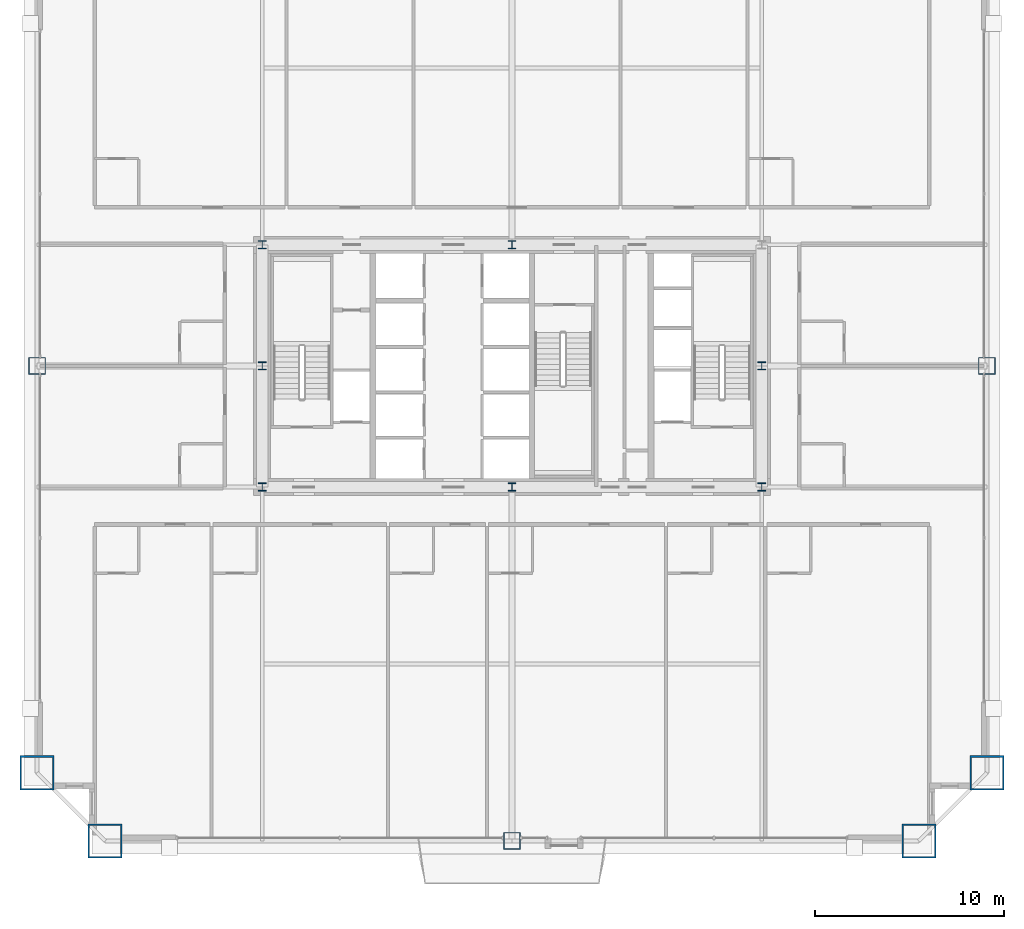
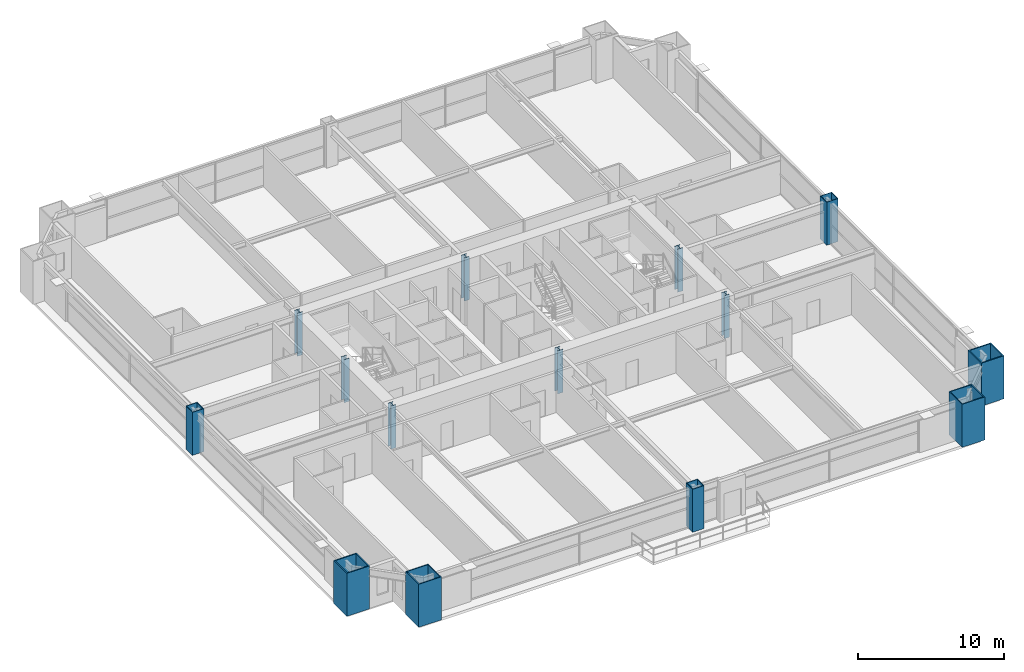
# One storey, part 1 of 43: 14 columns.
"""IFC4 building model written with IfcOpenShell, lengths in metres."""

from ifc_helpers import new_model, si_unit, direction, frame, origin, origin_2d, place, context, subcontext, project, spatial, hollow_rectangle, i_section, extrude, source, transform, mapped, material, material_profile, profile_set, type_object, element, save


model = new_model("IFC4")

# Units and contexts
model_context = context("Model", 3, precision=1e-05, world=origin(), true_north=direction((0.0, 1.0)))
body_context = subcontext(model_context, "Body", "Model", "MODEL_VIEW")
ifc_project = project(units=[si_unit("LENGTHUNIT", "METRE"), si_unit("AREAUNIT", "SQUARE_METRE"), si_unit("VOLUMEUNIT", "CUBIC_METRE"), si_unit("PLANEANGLEUNIT", "RADIAN"), si_unit("MASSUNIT", "GRAM", prefix="KILO"), si_unit("THERMODYNAMICTEMPERATUREUNIT", "KELVIN"), si_unit("POWERUNIT", "WATT")], contexts=[model_context])

# Site, building, storey
site_placement = place(None, origin())
site = spatial("IfcSite", under=ifc_project, at=site_placement, CompositionType="ELEMENT")
building_placement = place(site_placement, origin())
building = spatial("IfcBuilding", under=site, at=building_placement, Name="Yuzanri Waterfront Tower", CompositionType="ELEMENT")
storey_placement = place(building_placement, frame((0.0, 0.0, 64.0)))
storey = spatial("IfcBuildingStorey", under=building, at=storey_placement, Name="L16", CompositionType="ELEMENT", Elevation=64.0)

# Columns
ifc_material_1 = material(Name="Steel Q355B", Category="steel")
ifc_material_profile_1 = material_profile(ifc_material_1, i_section(OverallWidth=0.406982421875, OverallDepth=0.427978515625, WebThickness=0.02001953125, FlangeThickness=0.034912109375, at=origin_2d()), Name="HW 428x407x20x35")
ifc_profile_set_1 = profile_set([ifc_material_profile_1], Name="Steel Q355B")
column_type_1 = type_object("IfcColumnType", Name="Core Post Q355B HW 428x407x20x35", PredefinedType="COLUMN", material=ifc_profile_set_1)
shared_shape_1 = source(origin(), body_context, "Body", "SweptSolid", [
    extrude(i_section(OverallWidth=0.406982421875, OverallDepth=0.427978515625, WebThickness=0.02001953125, FlangeThickness=0.034912109375, at=origin_2d()), origin(), (0.0, 0.0, 1.0), 3.60009765625),
])
for number, where, z_axis, x_axis, name in (
    (1, (23.800048828125, 19.39990234375, 0.0), (0.0, 0.0, 1.0), (1.0, 0.0, 0.0), "L16 Core Boundary Column CP1"),
    (2, (37.0, 19.39990234375, 0.0), (0.0, 0.0, 1.0), (1.0, 0.0, 0.0), "L16 Core Boundary Column CP2"),
    (3, (50.199951171875, 19.39990234375, 0.0), (0.0, 0.0, 1.0), (1.0, 0.0, 0.0), "L16 Core Boundary Column CP3"),
    (4, (23.800048828125, 25.800048828125, 0.0), (0.0, 0.0, 1.0), (1.0, 0.0, 0.0), "L16 Core Boundary Column CP4"),
    (5, (50.199951171875, 25.800048828125, 0.0), (0.0, 0.0, 1.0), (1.0, 0.0, 0.0), "L16 Core Boundary Column CP5"),
    (6, (23.800048828125, 32.199951171875, 0.0), (0.0, 0.0, 1.0), (1.0, 0.0, 0.0), "L16 Core Boundary Column CP6"),
    (7, (37.0, 32.199951171875, 0.0), (0.0, 0.0, 1.0), (1.0, 0.0, 0.0), "L16 Core Boundary Column CP7"),
):
    element("IfcColumn", number, at=place(storey_placement, frame(where, z_axis=z_axis, x_axis=x_axis)), inside=storey, type_object=column_type_1, Name=name, PredefinedType="COLUMN", context=body_context, shape_type="MappedRepresentation", body=[
        mapped(shared_shape_1, transform((0.0, 0.0, 0.0), scale=1.0)),
    ])
ifc_material_2 = material(Name="Steel Q420GJC", Category="steel")
ifc_material_profile_2 = material_profile(ifc_material_2, hollow_rectangle(XDim=1.800048828125, YDim=1.800048828125, WallThickness=0.080078125, at=origin_2d()), Name="RHS 1800x1800x80")
ifc_profile_set_2 = profile_set([ifc_material_profile_2], Name="Steel Q420GJC")
column_type_2 = type_object("IfcColumnType", Name="Mega Column Q420GJC RHS 1800x1800x80", PredefinedType="COLUMN", material=ifc_profile_set_2)
shared_shape_2 = source(origin(), body_context, "Body", "SweptSolid", [
    extrude(hollow_rectangle(XDim=1.800048828125, YDim=1.800048828125, WallThickness=0.080078125, at=origin_2d()), origin(), (0.0, 0.0, 1.0), 3.60009765625),
])
for number, where, z_axis, x_axis, name in (
    (8, (15.5, 0.699951171875, 0.0), (0.0, 0.0, 1.0), (1.0, 0.0, 0.0), "L16 Perimeter Mega Column S1"),
    (9, (58.5, 0.699951171875, 0.0), (0.0, 0.0, 1.0), (1.0, 0.0, 0.0), "L16 Perimeter Mega Column S3"),
    (10, (11.89990234375, 4.300048828125, 0.0), (0.0, 0.0, 1.0), (1.0, 0.0, 0.0), "L16 Perimeter Mega Column W1"),
    (11, (62.10009765625, 4.300048828125, 0.0), (0.0, 0.0, 1.0), (1.0, 0.0, 0.0), "L16 Perimeter Mega Column E1"),
):
    element("IfcColumn", number, at=place(storey_placement, frame(where, z_axis=z_axis, x_axis=x_axis)), inside=storey, type_object=column_type_2, Name=name, PredefinedType="COLUMN", context=body_context, shape_type="MappedRepresentation", body=[
        mapped(shared_shape_2, transform((0.0, 0.0, 0.0), scale=1.0)),
    ])
ifc_material_3 = material(Name="Steel Q390GJC", Category="steel")
ifc_material_profile_3 = material_profile(ifc_material_3, hollow_rectangle(XDim=0.89990234375, YDim=0.89990234375, WallThickness=0.0419921875, at=origin_2d()), Name="RHS 900x900x42")
ifc_profile_set_3 = profile_set([ifc_material_profile_3], Name="Steel Q390GJC")
column_type_3 = type_object("IfcColumnType", Name="Frame Column Q390GJC RHS 900x900x42", PredefinedType="COLUMN", material=ifc_profile_set_3)
shared_shape_3 = source(origin(), body_context, "Body", "SweptSolid", [
    extrude(hollow_rectangle(XDim=0.89990234375, YDim=0.89990234375, WallThickness=0.0419921875, at=origin_2d()), origin(), (0.0, 0.0, 1.0), 3.60009765625),
])
for number, where, z_axis, x_axis, name in (
    (12, (37.0, 0.699951171875, 0.0), (0.0, 0.0, 1.0), (1.0, 0.0, 0.0), "L16 Perimeter Frame Column S2"),
    (13, (11.89990234375, 25.800048828125, 0.0), (0.0, 0.0, 1.0), (1.0, 0.0, 0.0), "L16 Perimeter Frame Column W2"),
    (14, (62.10009765625, 25.800048828125, 0.0), (0.0, 0.0, 1.0), (1.0, 0.0, 0.0), "L16 Perimeter Frame Column E2"),
):
    element("IfcColumn", number, at=place(storey_placement, frame(where, z_axis=z_axis, x_axis=x_axis)), inside=storey, type_object=column_type_3, Name=name, PredefinedType="COLUMN", context=body_context, shape_type="MappedRepresentation", body=[
        mapped(shared_shape_3, transform((0.0, 0.0, 0.0), scale=1.0)),
    ])

save(model, "model.ifc")
